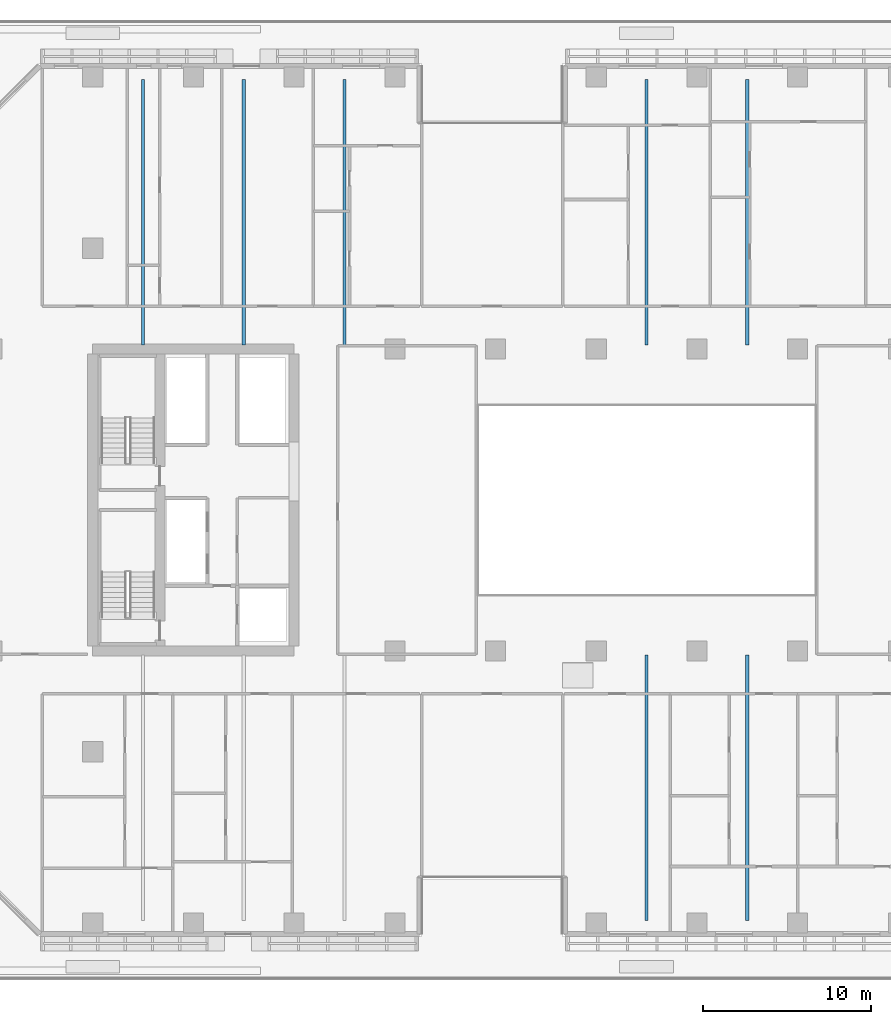
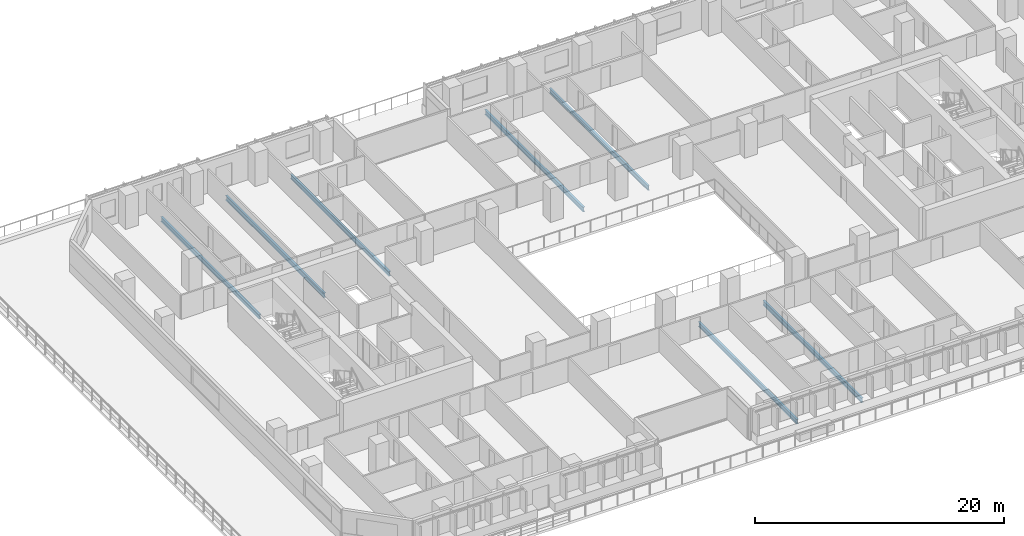
# One storey, part 3 of 23: 7 beams.
"""IFC4 building model written with IfcOpenShell, lengths in metres."""

from ifc_helpers import new_model, si_unit, direction, frame, origin, origin_2d, place, context, subcontext, project, spatial, i_section, extrude, material, material_profile, profile_set, type_object, element, save


model = new_model("IFC4")

# Units and contexts
model_context = context("Model", 3, precision=1e-05, world=origin(), true_north=direction((0.0, 1.0)))
body_context = subcontext(model_context, "Body", "Model", "MODEL_VIEW")
ifc_project = project(units=[si_unit("LENGTHUNIT", "METRE"), si_unit("AREAUNIT", "SQUARE_METRE"), si_unit("VOLUMEUNIT", "CUBIC_METRE"), si_unit("PLANEANGLEUNIT", "RADIAN"), si_unit("MASSUNIT", "GRAM", prefix="KILO")], contexts=[model_context])

# Site, building, storey
site_placement = place(None, origin())
site = spatial("IfcSite", under=ifc_project, at=site_placement, CompositionType="ELEMENT")
building_placement = place(site_placement, origin())
building = spatial("IfcBuilding", under=site, at=building_placement, Name="Tanjung Sevakor Pilgrim Tower", CompositionType="ELEMENT")
storey_placement = place(building_placement, frame((0.0, 0.0, 29.0400390625)))
storey = spatial("IfcBuildingStorey", under=building, at=storey_placement, Name="L07", CompositionType="ELEMENT", Elevation=29.0400390625)

# Beams
ifc_material = material(Name="Steel S355J2", Category="steel")
ifc_material_profile = material_profile(ifc_material, i_section(OverallWidth=0.19140625, OverallDepth=0.4599609375, WebThickness=0.010009765625, FlangeThickness=0.01611328125, FilletRadius=0.01025390625, at=origin_2d()))
ifc_profile_set = profile_set([ifc_material_profile], Name="Steel S355J2")
beam_type = type_object("IfcBeamType", Name="BM-B-J2-UB_457x191x82", PredefinedType="JOIST", material=ifc_profile_set)
for number, where, z_axis, x_axis, name in (
    (1, (27.0, 42.824951171875, -0.469970703125), (0.0, 1.0, 0.0), (-1.0, 0.0, 0.0), "L07 Infill Joist 01.2"),
    (2, (33.0, 42.824951171875, -0.469970703125), (0.0, 1.0, 0.0), (-1.0, 0.0, 0.0), "L07 Infill Joist 02.2"),
    (3, (39.0, 42.824951171875, -0.469970703125), (0.0, 1.0, 0.0), (-1.0, 0.0, 0.0), "L07 Infill Joist 03.2"),
    (4, (57.0, 8.551025390625, -0.469970703125), (0.0, 1.0, 0.0), (-1.0, 0.0, 0.0), "L07 Infill Joist 04.1"),
    (5, (57.0, 42.824951171875, -0.469970703125), (0.0, 1.0, 0.0), (-1.0, 0.0, 0.0), "L07 Infill Joist 04.2"),
    (6, (63.0, 8.551025390625, -0.469970703125), (0.0, 1.0, 0.0), (-1.0, 0.0, 0.0), "L07 Infill Joist 05.1"),
    (7, (63.0, 42.824951171875, -0.469970703125), (0.0, 1.0, 0.0), (-1.0, 0.0, 0.0), "L07 Infill Joist 05.2"),
):
    element("IfcBeam", number, at=place(storey_placement, frame(where, z_axis=z_axis, x_axis=x_axis)), inside=storey, type_object=beam_type, Name=name, PredefinedType="JOIST", context=body_context, shape_type="SweptSolid", body=[
        extrude(i_section(OverallWidth=0.19140625, OverallDepth=0.4599609375, WebThickness=0.010009765625, FlangeThickness=0.01611328125, FilletRadius=0.01025390625, at=origin_2d()), origin(), (0.0, 0.0, 1.0), 15.823974609375),
    ])

save(model, "model.ifc")
